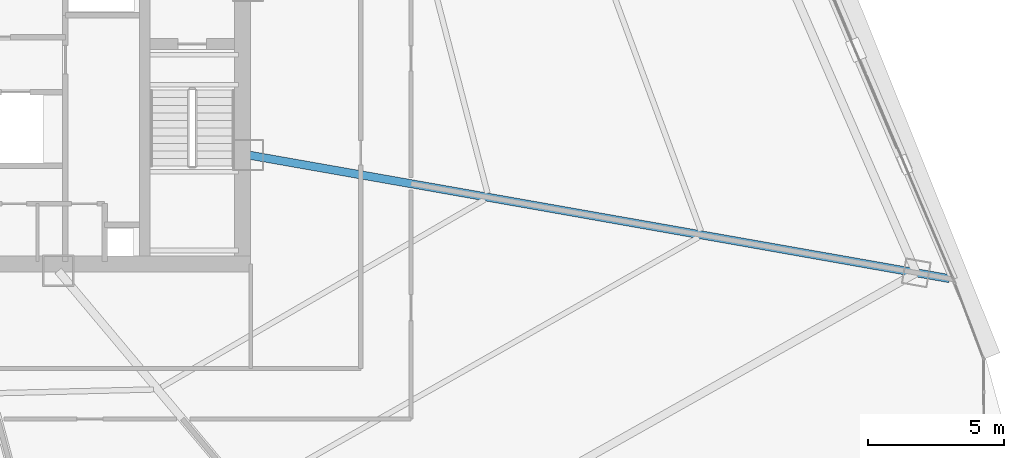
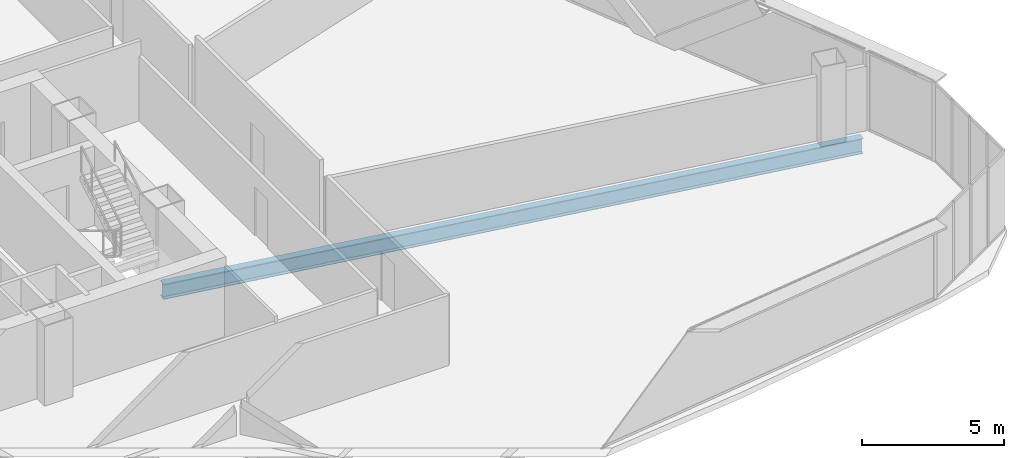
# One storey, part 25 of 42: 1 beam.
"""IFC4 building model written with IfcOpenShell, lengths in metres."""

from ifc_helpers import new_model, si_unit, direction, frame, origin, origin_2d, place, context, subcontext, project, spatial, i_section, extrude, source, transform, mapped, material, material_profile, profile_set, type_object, element, save


model = new_model("IFC4")

# Units and contexts
model_context = context("Model", 3, precision=1e-05, world=origin(), true_north=direction((0.0, 1.0)))
body_context = subcontext(model_context, "Body", "Model", "MODEL_VIEW")
ifc_project = project(units=[si_unit("LENGTHUNIT", "METRE"), si_unit("AREAUNIT", "SQUARE_METRE"), si_unit("VOLUMEUNIT", "CUBIC_METRE"), si_unit("PLANEANGLEUNIT", "RADIAN"), si_unit("MASSUNIT", "GRAM", prefix="KILO"), si_unit("THERMODYNAMICTEMPERATUREUNIT", "KELVIN"), si_unit("POWERUNIT", "WATT")], contexts=[model_context])

# Site, building, storey
site_placement = place(None, origin())
site = spatial("IfcSite", under=ifc_project, at=site_placement, CompositionType="ELEMENT")
building_placement = place(site_placement, origin())
building = spatial("IfcBuilding", under=site, at=building_placement, Name="Yunzhuo Pagoda Commons", CompositionType="ELEMENT")
storey_placement = place(building_placement, frame((0.0, 0.0, 151.909912109375)))
storey = spatial("IfcBuildingStorey", under=building, at=storey_placement, Name="L38", CompositionType="ELEMENT", Elevation=151.909912109375)

# Beam
ifc_material = material(Name="Structural steel Q355B", Category="steel")
ifc_material_profile = material_profile(ifc_material, i_section(OverallWidth=0.300048828125, OverallDepth=0.64990234375, WebThickness=0.012939453125, FlangeThickness=0.02197265625, at=origin_2d()), Name="Structural steel Q355B")
ifc_profile_set = profile_set([ifc_material_profile], Name="Structural steel Q355B")
beam_type = type_object("IfcBeamType", Name="B-RG2 Beam HN 650x300x13x22", PredefinedType="BEAM", material=ifc_profile_set)
shared_shape = source(origin(), body_context, "Body", "SweptSolid", [
    extrude(i_section(OverallWidth=0.300048828125, OverallDepth=0.64990234375, WebThickness=0.012939453125, FlangeThickness=0.02197265625, at=origin_2d()), origin(), (0.0, 0.0, 1.0), 26.2158203125),
])
beam_placement = place(storey_placement, frame((86.217529296875, 26.961181640625, -0.5849609375), z_axis=(-0.98480839303, 0.173644547905, 0.0), x_axis=(-0.173644547905, -0.98480839303, 0.0)))
element("IfcBeam", 1, at=beam_placement, inside=storey, type_object=beam_type, Name="L38 radial floor girder F2C1", PredefinedType="BEAM", context=body_context, shape_type="MappedRepresentation", body=[
    mapped(shared_shape, transform((0.0, 0.0, 0.0), scale=1.0)),
])

save(model, "model.ifc")
